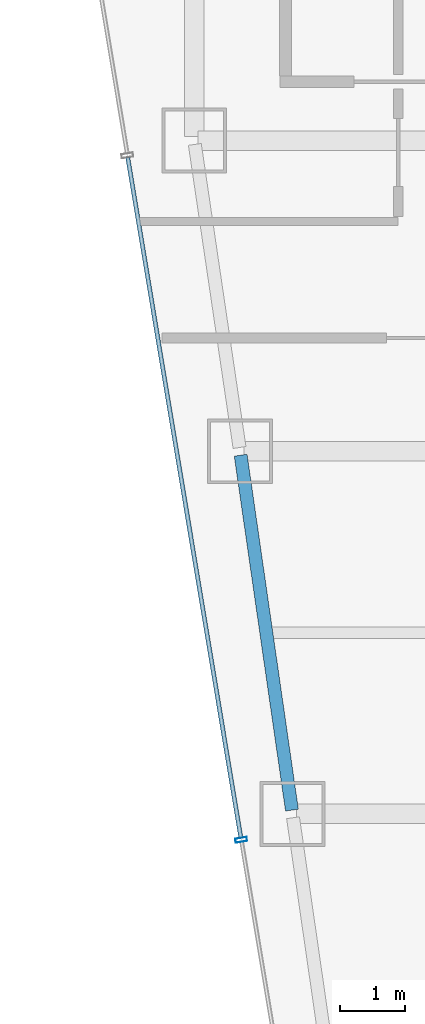
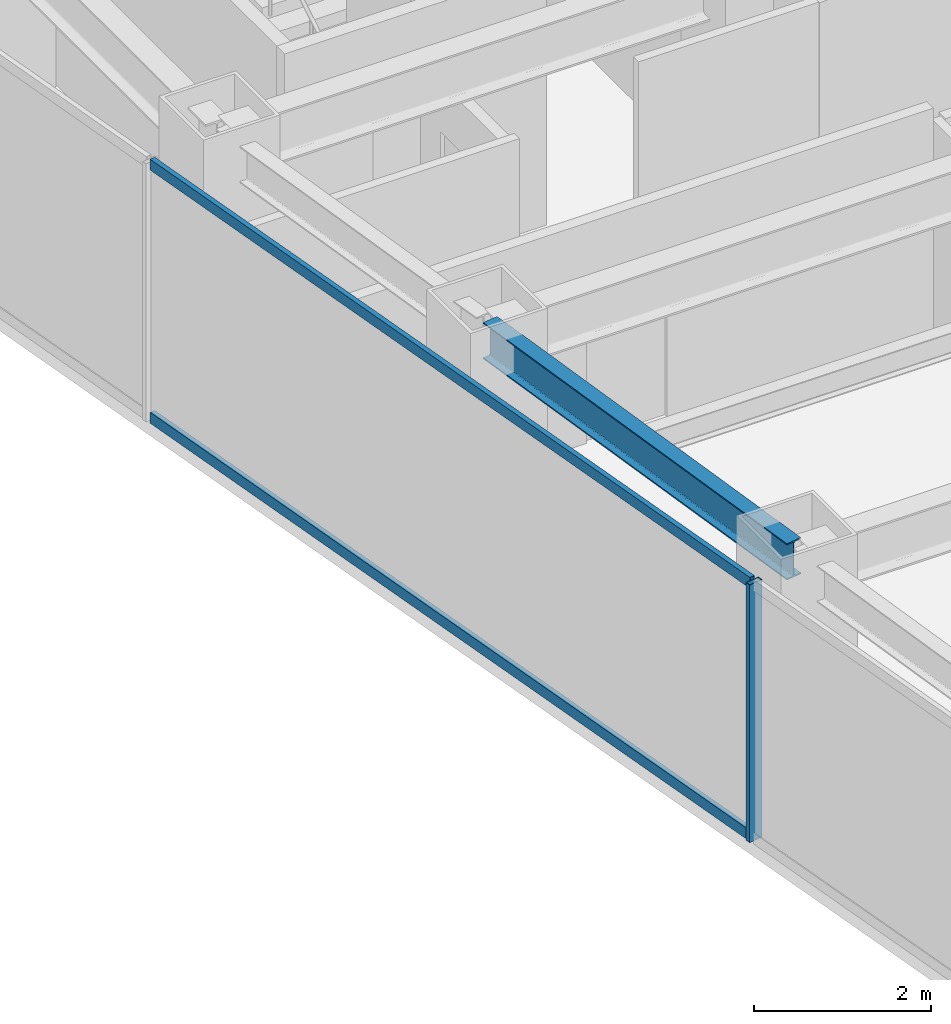
# One storey, part 9 of 36: 3 members, 1 beam, 1 element without a shape of its own.
"""IFC4 building model written with IfcOpenShell, lengths in metres."""

import ifcopenshell
import ifcopenshell.guid

model = None  # the IFC model being written
_history = None  # IfcOwnerHistory: only IFC2X3 demands one
_inside = {}  # id of a spatial element -> (the spatial element, [elements in it])
_under = {}  # id of a project, library or spatial element -> (it, [spatial elements below it])
_declared = {}  # id of a project -> (the project, [libraries it declares])
_typed = {}  # id of a type object -> (the type object, [elements of that type])
_made_of = {}  # id of a material, layer set ... -> (it, [elements and type objects made of it])


def new_model(schema):
    """Start an empty IFC model of exactly this schema.

    Asked for "IFC4X3", IfcOpenShell would pick the latest addendum, in which some entities
    have other attributes; the version numbers below select the first issue.
    IFC2X3 requires an IfcOwnerHistory on every rooted entity: one is made here for all.
    """
    global model, _history
    if schema == "IFC4X3":
        model = ifcopenshell.file(schema_version=(4, 3, 0, 0))
    else:
        model = ifcopenshell.file(schema=schema)
    _inside.clear()
    _under.clear()
    _declared.clear()
    _typed.clear()
    _made_of.clear()
    _history = None
    if model.schema == "IFC2X3":
        org = make("IfcOrganization", Name="unknown")
        user = make(
            "IfcPersonAndOrganization",
            ThePerson=make("IfcPerson", FamilyName="unknown"),
            TheOrganization=org,
        )
        app = make(
            "IfcApplication",
            ApplicationDeveloper=org,
            Version="unknown",
            ApplicationFullName="unknown",
            ApplicationIdentifier="unknown",
        )
        _history = make(
            "IfcOwnerHistory",
            OwningUser=user,
            OwningApplication=app,
            ChangeAction="ADDED",
            CreationDate=0,
        )
    return model


def make(cls, **values):
    """One entity of the class cls with the attributes given. An attribute that is None is left unset."""
    return model.create_entity(
        cls, **{name: value for name, value in values.items() if value is not None}
    )


def rooted(cls, **values):
    """An entity with a GlobalId (a new one), such as an element, a storey or a relation."""
    return make(cls, GlobalId=ifcopenshell.guid.new(), OwnerHistory=_history, **values)


def si_unit(unit_type, name, prefix=None):
    """IfcSIUnit, for example si_unit("LENGTHUNIT", "METRE", prefix="MILLI")."""
    return make("IfcSIUnit", UnitType=unit_type, Prefix=prefix, Name=name)


def assignment(units):
    """IfcUnitAssignment: the units of a project."""
    return None if units is None else make("IfcUnitAssignment", Units=units)


def point(xyz):
    """IfcCartesianPoint."""
    return None if xyz is None else make("IfcCartesianPoint", Coordinates=xyz)


def direction(xyz):
    """IfcDirection."""
    return None if xyz is None else make("IfcDirection", DirectionRatios=xyz)


def frame(location, z_axis=None, x_axis=None):
    """IfcAxis2Placement3D, a coordinate frame: its origin and axes. An axis left out is left unset."""
    return make(
        "IfcAxis2Placement3D",
        Location=point(location),
        Axis=direction(z_axis),
        RefDirection=direction(x_axis),
    )


def frame_2d(location, x_axis=None):
    """IfcAxis2Placement2D, a coordinate frame in the plane: its origin and x axis."""
    return make(
        "IfcAxis2Placement2D", Location=point(location), RefDirection=direction(x_axis)
    )


def origin():
    """The frame at (0, 0, 0) with its axes left unset."""
    return frame((0.0, 0.0, 0.0))


def origin_2d():
    """The frame at (0, 0) in the plane with its x axis left unset."""
    return frame_2d((0.0, 0.0))


def place(relative_to, where):
    """IfcLocalPlacement: puts the frame where relative to a parent placement (None: the world)."""
    return make(
        "IfcLocalPlacement", PlacementRelTo=relative_to, RelativePlacement=where
    )


def context(
    kind, dimensions, precision=None, world=None, true_north=None, identifier=None
):
    """IfcGeometricRepresentationContext, for example the 3D "Model" context."""
    return make(
        "IfcGeometricRepresentationContext",
        ContextIdentifier=identifier,
        ContextType=kind,
        CoordinateSpaceDimension=dimensions,
        Precision=precision,
        WorldCoordinateSystem=world,
        TrueNorth=true_north,
    )


def subcontext(parent, identifier, kind, view, scale=None):
    """IfcGeometricRepresentationSubContext, for example "Body" below "Model"."""
    return make(
        "IfcGeometricRepresentationSubContext",
        ContextIdentifier=identifier,
        ContextType=kind,
        ParentContext=parent,
        TargetScale=scale,
        TargetView=view,
    )


def project(units=None, contexts=None):
    """IfcProject with its units and contexts."""
    return rooted(
        "IfcProject",
        Name="project",
        RepresentationContexts=contexts,
        UnitsInContext=assignment(units),
    )


def spatial(cls, under=None, at=None, **own):
    """A site, building, storey or space (cls), placed at a placement, below another one or the project."""
    s = rooted(cls, ObjectPlacement=at, **own)
    if under is not None:
        _under.setdefault(under.id(), (under, []))[1].append(s)
    return s


def profile(cls, at=None, kind="AREA", **sizes):
    """A parametric profile (cls). Its sizes go by their IFC names, for example OverallWidth=200.0."""
    return make(cls, ProfileType=kind, Position=at, **sizes)


def hollow_rectangle(**sizes):
    """IfcRectangleHollowProfileDef."""
    return profile("IfcRectangleHollowProfileDef", **sizes)


def i_section(**sizes):
    """IfcIShapeProfileDef."""
    return profile("IfcIShapeProfileDef", **sizes)


def extrude(swept, where, along, depth):
    """IfcExtrudedAreaSolid: the profile swept, set in the frame where, extruded along a direction by depth."""
    return make(
        "IfcExtrudedAreaSolid",
        SweptArea=swept,
        Position=where,
        ExtrudedDirection=direction(along),
        Depth=depth,
    )


def shape(context_of_items, identifier, shape_type, items):
    """IfcShapeRepresentation: the items that make up one representation, for example the "Body"."""
    return make(
        "IfcShapeRepresentation",
        ContextOfItems=context_of_items,
        RepresentationIdentifier=identifier,
        RepresentationType=shape_type,
        Items=items,
    )


def material(Name=None, Category=None):
    """IfcMaterial."""
    return make("IfcMaterial", Name=Name, Category=Category)


def material_profile(
    of_material, cross_section, Name=None, Category=None, Priority=None
):
    """IfcMaterialProfile: a cross section and its material."""
    return make(
        "IfcMaterialProfile",
        Name=Name,
        Material=of_material,
        Profile=cross_section,
        Priority=Priority,
        Category=Category,
    )


def profile_set(profiles, Name=None, composite=None):
    """IfcMaterialProfileSet."""
    return make(
        "IfcMaterialProfileSet",
        Name=Name,
        MaterialProfiles=profiles,
        CompositeProfile=composite,
    )


def made_of(thing, what):
    """Note that an element or type object is made of a material, layer set ...; save() writes the relation."""
    if what is not None:
        _made_of.setdefault(what.id(), (what, []))[1].append(thing)
    return thing


def type_object(cls, material=None, **own):
    """A type object (cls), such as IfcWallType, which elements share."""
    return made_of(rooted(cls, **own), material)


def element(
    cls,
    number,
    at=None,
    inside=None,
    cuts=None,
    type_object=None,
    material=None,
    context=None,
    identifier="Body",
    shape_type=None,
    held_by="IfcProductDefinitionShape",
    body=None,
    shapes=None,
    **own,
):
    """One element of the class cls, such as IfcWall. Its Tag is "e" and its number.

    at: its placement. inside: the storey or other place that contains it. cuts: it is an
    opening in that element (IfcRelVoidsElement). A single representation is given by context,
    identifier, shape_type and body (its items); several are given by shapes. held_by: the class
    of the entity that holds the representations. save() writes the other relations.
    """
    e = rooted(cls, Tag="e%d" % number, ObjectPlacement=at, **own)
    if body is not None:
        shapes = [shape(context, identifier, shape_type, body)]
    if shapes is not None:
        e.Representation = make(held_by, Representations=shapes)
    if inside is not None:
        _inside.setdefault(inside.id(), (inside, []))[1].append(e)
    if cuts is not None:
        rooted(
            "IfcRelVoidsElement", RelatingBuildingElement=cuts, RelatedOpeningElement=e
        )
    if type_object is not None:
        _typed.setdefault(type_object.id(), (type_object, []))[1].append(e)
    return made_of(e, material)


def aggregate(whole, parts):
    """IfcRelAggregates: a whole, such as a stair, and the parts it consists of."""
    return rooted("IfcRelAggregates", RelatingObject=whole, RelatedObjects=parts)


def save(model, path):
    """Write the relations noted so far, then the file.

    IfcRelAggregates (storeys below a building ...), IfcRelContainedInSpatialStructure (elements
    in a storey), IfcRelDefinesByType, IfcRelAssociatesMaterial and IfcRelDeclares: one each for
    every whole, place, type object, material and project.
    """
    for whole, parts in _under.values():
        aggregate(whole, parts)
    for where, things in _inside.values():
        rooted(
            "IfcRelContainedInSpatialStructure",
            RelatedElements=things,
            RelatingStructure=where,
        )
    for kind, things in _typed.values():
        rooted("IfcRelDefinesByType", RelatedObjects=things, RelatingType=kind)
    for what, things in _made_of.values():
        rooted("IfcRelAssociatesMaterial", RelatedObjects=things, RelatingMaterial=what)
    for by, libraries in _declared.values():
        rooted("IfcRelDeclares", RelatingContext=by, RelatedDefinitions=libraries)
    model.write(path)


model = new_model("IFC4")

# Units and contexts
model_context = context("Model", 3, precision=1e-05, world=origin(), true_north=direction((0.0, 1.0)))
body_context = subcontext(model_context, "Body", "Model", "MODEL_VIEW")
ifc_project = project(units=[si_unit("LENGTHUNIT", "METRE"), si_unit("AREAUNIT", "SQUARE_METRE"), si_unit("VOLUMEUNIT", "CUBIC_METRE"), si_unit("PLANEANGLEUNIT", "RADIAN"), si_unit("MASSUNIT", "GRAM", prefix="KILO")], contexts=[model_context])

# Site, building, storey
site_placement = place(None, origin())
site = spatial("IfcSite", under=ifc_project, at=site_placement, CompositionType="ELEMENT")
building_placement = place(site_placement, origin())
building = spatial("IfcBuilding", under=site, at=building_placement, Name="Saevonmaru Cultural Tower", CompositionType="ELEMENT")
storey_placement = place(building_placement, frame((0.0, 0.0, 152.39990234375)))
storey = spatial("IfcBuildingStorey", under=building, at=storey_placement, Name="L33", CompositionType="ELEMENT", Elevation=152.39990234375)

# Beam
ifc_material_1 = material(Name="Steel SM355", Category="steel")
ifc_material_profile_1 = material_profile(ifc_material_1, i_section(OverallWidth=0.199951171875, OverallDepth=0.5, WebThickness=0.010009765625, FlangeThickness=0.01611328125, FilletRadius=0.02001953125, at=origin_2d()), Name="H-500x200x10x16")
ifc_profile_set_1 = profile_set([ifc_material_profile_1], Name="Steel SM355")
beam_type = type_object("IfcBeamType", Name="BM-SP-H500", PredefinedType="SPANDREL", material=ifc_profile_set_1)
beam_placement = place(storey_placement, frame((8.308349609375, 32.059326171875, 3.300048828125), z_axis=(-0.142964121327, 0.989727871697, 0.0), x_axis=(-0.989727871697, -0.142964121327, 0.0)))
element("IfcBeam", 1, at=beam_placement, inside=storey, type_object=beam_type, Name="L33 West Splayed Spandrel 4", PredefinedType="SPANDREL", context=body_context, shape_type="SweptSolid", body=[
    extrude(i_section(OverallWidth=0.199951171875, OverallDepth=0.5, WebThickness=0.010009765625, FlangeThickness=0.01611328125, FilletRadius=0.02001953125, at=origin_2d()), origin(), (0.0, 0.0, 1.0), 5.5380859375),
])

# Curtain wall, members
ifc_material_2 = material(Name="Satin Bronze Anodised Aluminium", Category="aluminium")
curtain_wall_type = type_object("IfcCurtainWallType", Name="CW-TYP-A", PredefinedType="NOTDEFINED", material=ifc_material_2)
curtain_wall_placement = place(storey_placement, origin())
curtain_wall = element("IfcCurtainWall", 2, at=curtain_wall_placement, inside=storey, type_object=curtain_wall_type, Name="L33 Unitised Curtain Wall E12", PredefinedType="NOTDEFINED")
ifc_material_profile_2 = material_profile(ifc_material_2, hollow_rectangle(XDim=0.06494140625, YDim=0.179931640625, WallThickness=0.00390625, at=origin_2d()), Name="ALU-MULL-180x65x4")
ifc_profile_set_2 = profile_set([ifc_material_profile_2], Name="Satin Bronze Anodised Aluminium")
member_type_1 = type_object("IfcMemberType", Name="ML-CW-180x65", PredefinedType="MULLION", material=ifc_profile_set_2)
member_1_placement = place(storey_placement, frame((7.5244140625, 31.60009765625, 0.0), z_axis=(0.0, 0.0, 1.0), x_axis=(0.163998702345, -0.986460554523, 0.0)))
member_1 = element("IfcMember", 3, at=member_1_placement, type_object=member_type_1, Name="CW-TW-L33-E12 mullion 3", PredefinedType="MULLION", context=body_context, shape_type="SweptSolid", body=[
    extrude(hollow_rectangle(XDim=0.06494140625, YDim=0.179931640625, WallThickness=0.00390625, at=origin_2d()), origin(), (0.0, 0.0, 1.0), 3.550048828125),
])
ifc_material_profile_3 = material_profile(ifc_material_2, hollow_rectangle(XDim=0.06494140625, YDim=0.14990234375, WallThickness=0.00390625, at=origin_2d()), Name="ALU-TRAN-150x65x4")
ifc_profile_set_3 = profile_set([ifc_material_profile_3], Name="Satin Bronze Anodised Aluminium")
member_type_2 = type_object("IfcMemberType", Name="TR-CW-150x65", PredefinedType="USERDEFINED", material=ifc_profile_set_3)
member_2_placement = place(storey_placement, frame((5.7724609375, 42.138427734375, 0.03271484375), z_axis=(0.163990079074, -0.9864619881, 0.0), x_axis=(0.9864619881, 0.163990079074, 0.0)))
member_2 = element("IfcMember", 4, at=member_2_placement, type_object=member_type_2, Name="CW-TW-L33-E12 transom 2.1", ObjectType="TRANSOM", PredefinedType="USERDEFINED", context=body_context, shape_type="SweptSolid", body=[
    extrude(hollow_rectangle(XDim=0.06494140625, YDim=0.14990234375, WallThickness=0.00390625, at=origin_2d()), origin(), (0.0, 0.0, 1.0), 10.650634765625),
])
member_3_placement = place(storey_placement, frame((5.7724609375, 42.138427734375, 3.517578125), z_axis=(0.163990079074, -0.9864619881, 0.0), x_axis=(0.9864619881, 0.163990079074, 0.0)))
member_3 = element("IfcMember", 5, at=member_3_placement, type_object=member_type_2, Name="CW-TW-L33-E12 transom 2.2", ObjectType="TRANSOM", PredefinedType="USERDEFINED", context=body_context, shape_type="SweptSolid", body=[
    extrude(hollow_rectangle(XDim=0.06494140625, YDim=0.14990234375, WallThickness=0.00390625, at=origin_2d()), origin(), (0.0, 0.0, 1.0), 10.650634765625),
])
aggregate(curtain_wall, [member_1, member_2, member_3])

save(model, "model.ifc")
